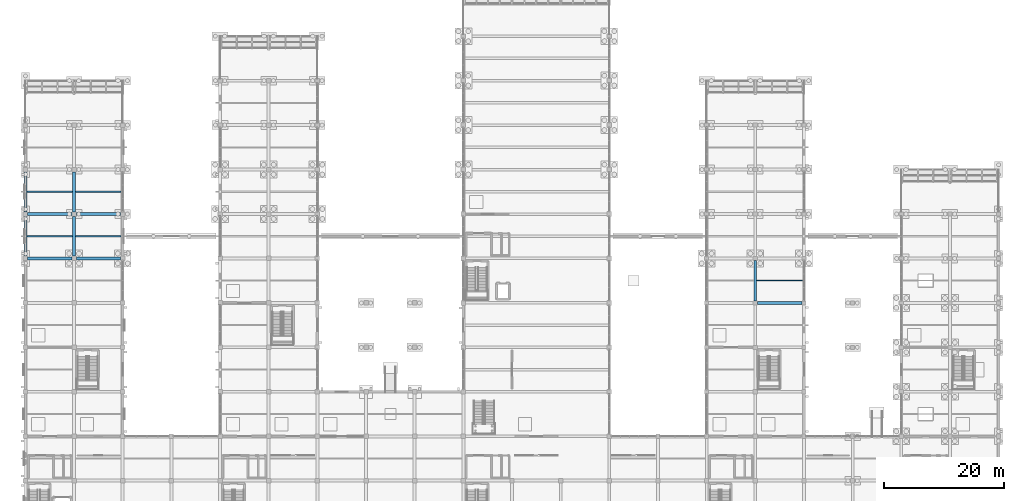
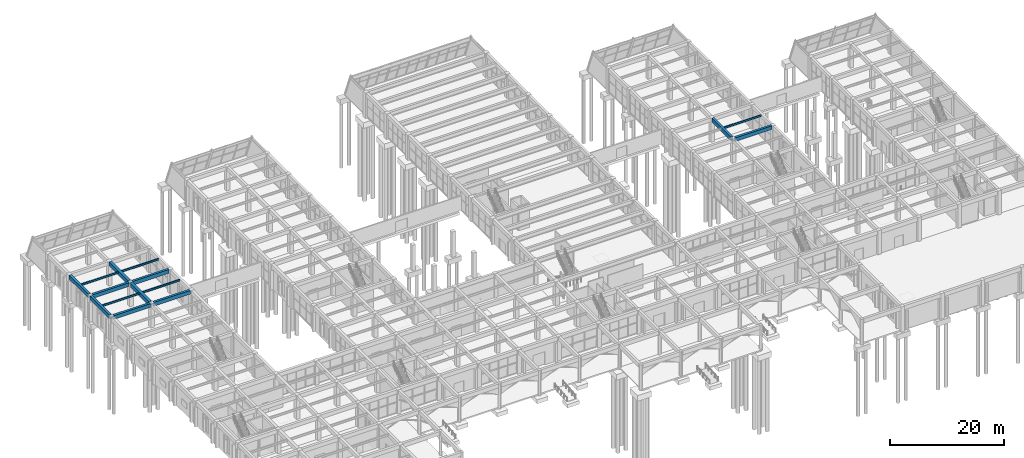
# One storey, part 54 of 140: 15 beams.
"""IFC4 building model written with IfcOpenShell, lengths in metres."""

from ifc_helpers import new_model, si_unit, direction, frame, origin, origin_2d, place, context, subcontext, project, spatial, rectangle, i_section, extrude, material, material_profile, profile_set, type_object, element, save


model = new_model("IFC4")

# Units and contexts
model_context = context("Model", 3, precision=1e-05, world=origin(), true_north=direction((0.0, 1.0)))
body_context = subcontext(model_context, "Body", "Model", "MODEL_VIEW")
ifc_project = project(units=[si_unit("LENGTHUNIT", "METRE"), si_unit("AREAUNIT", "SQUARE_METRE"), si_unit("VOLUMEUNIT", "CUBIC_METRE"), si_unit("PLANEANGLEUNIT", "RADIAN"), si_unit("MASSUNIT", "GRAM", prefix="KILO")], contexts=[model_context])

# Site, building, storey
site_placement = place(None, origin())
site = spatial("IfcSite", under=ifc_project, at=site_placement, CompositionType="ELEMENT")
building_placement = place(site_placement, origin())
building = spatial("IfcBuilding", under=site, at=building_placement, Name="Cimatlan Art Gallery", CompositionType="ELEMENT")
storey_placement = place(building_placement, origin())
storey = spatial("IfcBuildingStorey", under=building, at=storey_placement, Name="L00", CompositionType="ELEMENT", Elevation=0.0)

# Beams
ifc_material_1 = material(Name="Concrete C40/50", Category="concrete")
ifc_material_profile_1 = material_profile(ifc_material_1, rectangle(XDim=0.449951171875, YDim=0.800048828125, at=origin_2d()), Name="RC450X800")
ifc_profile_set_1 = profile_set([ifc_material_profile_1], Name="Concrete C40/50")
beam_type_1 = type_object("IfcBeamType", Name="BM-RC-450X800", PredefinedType="BEAM", material=ifc_profile_set_1)
beam_1_placement = place(storey_placement, frame((123.5, 61.25, 4.735107421875), z_axis=(0.0, 1.0, 0.0), x_axis=(-1.0, 0.0, 0.0)))
element("IfcBeam", 1, at=beam_1_placement, inside=storey, type_object=beam_type_1, Name="BM-Y-L00-15-08", PredefinedType="BEAM", context=body_context, shape_type="SweptSolid", body=[
    extrude(rectangle(XDim=0.449951171875, YDim=0.800048828125, at=origin_2d()), origin(), (0.0, 0.0, 1.0), 6.699951171875),
])
for number, where, z_axis, x_axis, name in (
    (2, (2.375, 68.300048828125, 4.735107421875), (1.0, 0.0, 0.0), (0.0, 1.0, 0.0), "BM-X-L00-00-09"),
    (3, (2.375, 75.699951171875, 4.735107421875), (1.0, 0.0, 0.0), (0.0, 1.0, 0.0), "BM-X-L00-00-10"),
):
    element("IfcBeam", number, at=place(storey_placement, frame(where, z_axis=z_axis, x_axis=x_axis)), inside=storey, type_object=beam_type_1, Name=name, PredefinedType="BEAM", context=body_context, shape_type="SweptSolid", body=[
        extrude(rectangle(XDim=0.449951171875, YDim=0.800048828125, at=origin_2d()), origin(), (0.0, 0.0, 1.0), 7.35009765625),
    ])
for number, where, z_axis, x_axis, name in (
    (4, (10.47509765625, 68.300048828125, 4.735107421875), (1.0, 0.0, 0.0), (0.0, 1.0, 0.0), "BM-X-L00-01-09"),
    (5, (10.47509765625, 75.699951171875, 4.735107421875), (1.0, 0.0, 0.0), (0.0, 1.0, 0.0), "BM-X-L00-01-10"),
):
    element("IfcBeam", number, at=place(storey_placement, frame(where, z_axis=z_axis, x_axis=x_axis)), inside=storey, type_object=beam_type_1, Name=name, PredefinedType="BEAM", context=body_context, shape_type="SweptSolid", body=[
        extrude(rectangle(XDim=0.449951171875, YDim=0.800048828125, at=origin_2d()), origin(), (0.0, 0.0, 1.0), 7.349853515625),
    ])
beam_2_placement = place(storey_placement, frame((123.85009765625, 60.89990234375, 4.735107421875), z_axis=(1.0, 0.0, 0.0), x_axis=(0.0, 1.0, 0.0)))
element("IfcBeam", 6, at=beam_2_placement, inside=storey, type_object=beam_type_1, Name="BM-X-L00-15-08", PredefinedType="BEAM", context=body_context, shape_type="SweptSolid", body=[
    extrude(rectangle(XDim=0.449951171875, YDim=0.800048828125, at=origin_2d()), origin(), (0.0, 0.0, 1.0), 7.39990234375),
])
ifc_material_profile_2 = material_profile(ifc_material_1, rectangle(XDim=0.5, YDim=0.85009765625, at=origin_2d()), Name="RC500X850")
ifc_profile_set_2 = profile_set([ifc_material_profile_2], Name="Concrete C40/50")
beam_type_2 = type_object("IfcBeamType", Name="BM-RC-500X850", PredefinedType="BEAM", material=ifc_profile_set_2)
beam_3_placement = place(storey_placement, frame((2.0, 68.675048828125, 4.7099609375), z_axis=(0.0, 1.0, 0.0), x_axis=(-1.0, 0.0, 0.0)))
element("IfcBeam", 7, at=beam_3_placement, inside=storey, type_object=beam_type_2, Name="BM-Y-L00-00-09", PredefinedType="BEAM", context=body_context, shape_type="SweptSolid", body=[
    extrude(rectangle(XDim=0.5, YDim=0.85009765625, at=origin_2d()), origin(), (0.0, 0.0, 1.0), 6.64990234375),
])
beam_4_placement = place(storey_placement, frame((2.0, 76.074951171875, 4.7099609375), z_axis=(0.0, 1.0, 0.0), x_axis=(-1.0, 0.0, 0.0)))
element("IfcBeam", 8, at=beam_4_placement, inside=storey, type_object=beam_type_2, Name="BM-Y-L00-00-10", PredefinedType="BEAM", context=body_context, shape_type="SweptSolid", body=[
    extrude(rectangle(XDim=0.5, YDim=0.85009765625, at=origin_2d()), origin(), (0.0, 0.0, 1.0), 6.650146484375),
])
beam_5_placement = place(storey_placement, frame((10.10009765625, 68.675048828125, 4.7099609375), z_axis=(0.0, 1.0, 0.0), x_axis=(-1.0, 0.0, 0.0)))
element("IfcBeam", 9, at=beam_5_placement, inside=storey, type_object=beam_type_2, Name="BM-Y-L00-01-09", PredefinedType="BEAM", context=body_context, shape_type="SweptSolid", body=[
    extrude(rectangle(XDim=0.5, YDim=0.85009765625, at=origin_2d()), origin(), (0.0, 0.0, 1.0), 6.64990234375),
])
beam_6_placement = place(storey_placement, frame((10.10009765625, 76.074951171875, 4.7099609375), z_axis=(0.0, 1.0, 0.0), x_axis=(-1.0, 0.0, 0.0)))
element("IfcBeam", 10, at=beam_6_placement, inside=storey, type_object=beam_type_2, Name="BM-Y-L00-01-10", PredefinedType="BEAM", context=body_context, shape_type="SweptSolid", body=[
    extrude(rectangle(XDim=0.5, YDim=0.85009765625, at=origin_2d()), origin(), (0.0, 0.0, 1.0), 6.650146484375),
])
ifc_material_2 = material(Name="Steel ASTM A992 Grade 50", Category="steel")
ifc_material_profile_3 = material_profile(ifc_material_2, i_section(OverallWidth=0.177978515625, OverallDepth=0.406982421875, WebThickness=0.0078125, FlangeThickness=0.0126953125, at=origin_2d()), Name="W16X40")
ifc_profile_set_3 = profile_set([ifc_material_profile_3], Name="Steel ASTM A992 Grade 50")
beam_type_3 = type_object("IfcBeamType", Name="BM-STL-W16X40", PredefinedType="JOIST", material=ifc_profile_set_3)
for number, where, z_axis, x_axis, name in (
    (11, (2.25, 72.0, 4.931396484375), (1.0, 0.0, 0.0), (0.0, 1.0, 0.0), "JST-L00-00-09"),
    (12, (2.25, 79.39990234375, 4.931396484375), (1.0, 0.0, 0.0), (0.0, 1.0, 0.0), "JST-L00-00-10"),
):
    element("IfcBeam", number, at=place(storey_placement, frame(where, z_axis=z_axis, x_axis=x_axis)), inside=storey, type_object=beam_type_3, Name=name, PredefinedType="JOIST", context=body_context, shape_type="SweptSolid", body=[
        extrude(i_section(OverallWidth=0.177978515625, OverallDepth=0.406982421875, WebThickness=0.0078125, FlangeThickness=0.0126953125, at=origin_2d()), origin(), (0.0, 0.0, 1.0), 7.60009765625),
    ])
for number, where, z_axis, x_axis, name in (
    (13, (10.35009765625, 72.0, 4.931396484375), (1.0, 0.0, 0.0), (0.0, 1.0, 0.0), "JST-L00-01-09"),
    (14, (10.35009765625, 79.39990234375, 4.931396484375), (1.0, 0.0, 0.0), (0.0, 1.0, 0.0), "JST-L00-01-10"),
):
    element("IfcBeam", number, at=place(storey_placement, frame(where, z_axis=z_axis, x_axis=x_axis)), inside=storey, type_object=beam_type_3, Name=name, PredefinedType="JOIST", context=body_context, shape_type="SweptSolid", body=[
        extrude(i_section(OverallWidth=0.177978515625, OverallDepth=0.406982421875, WebThickness=0.0078125, FlangeThickness=0.0126953125, at=origin_2d()), origin(), (0.0, 0.0, 1.0), 7.599853515625),
    ])
beam_7_placement = place(storey_placement, frame((123.72509765625, 64.60009765625, 4.931396484375), z_axis=(1.0, 0.0, 0.0), x_axis=(0.0, 1.0, 0.0)))
element("IfcBeam", 15, at=beam_7_placement, inside=storey, type_object=beam_type_3, Name="JST-L00-15-08", PredefinedType="JOIST", context=body_context, shape_type="SweptSolid", body=[
    extrude(i_section(OverallWidth=0.177978515625, OverallDepth=0.406982421875, WebThickness=0.0078125, FlangeThickness=0.0126953125, at=origin_2d()), origin(), (0.0, 0.0, 1.0), 7.64990234375),
])

save(model, "model.ifc")
